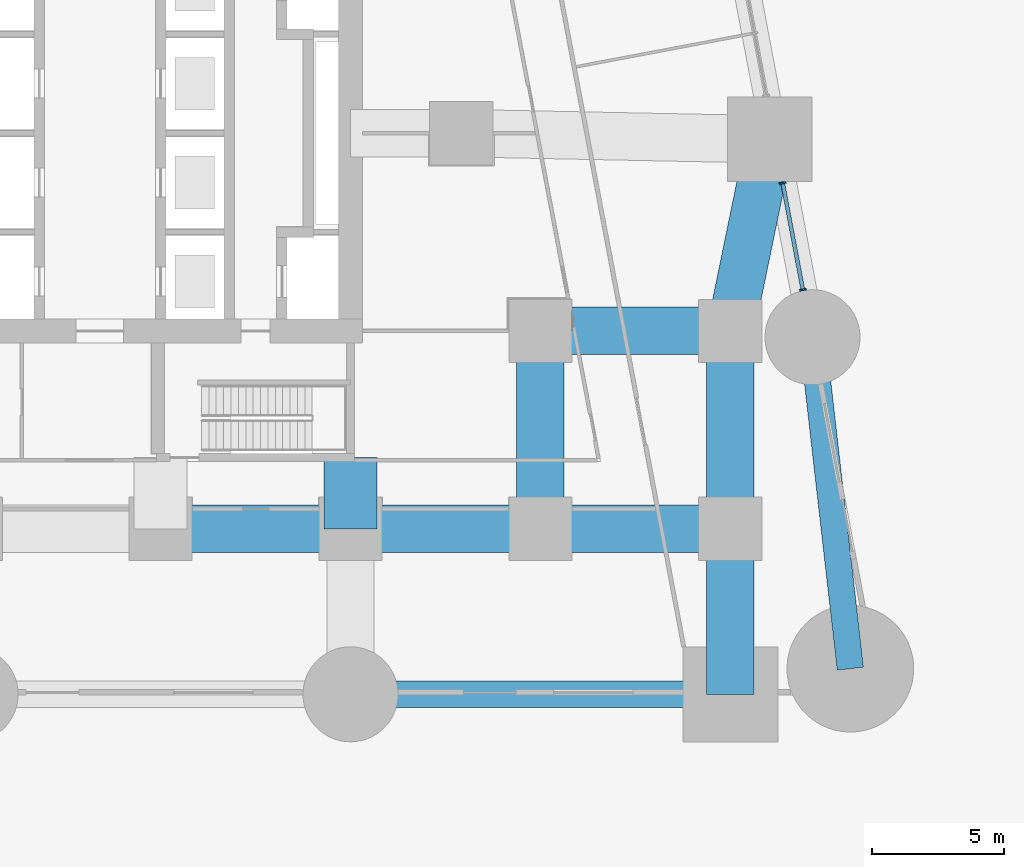
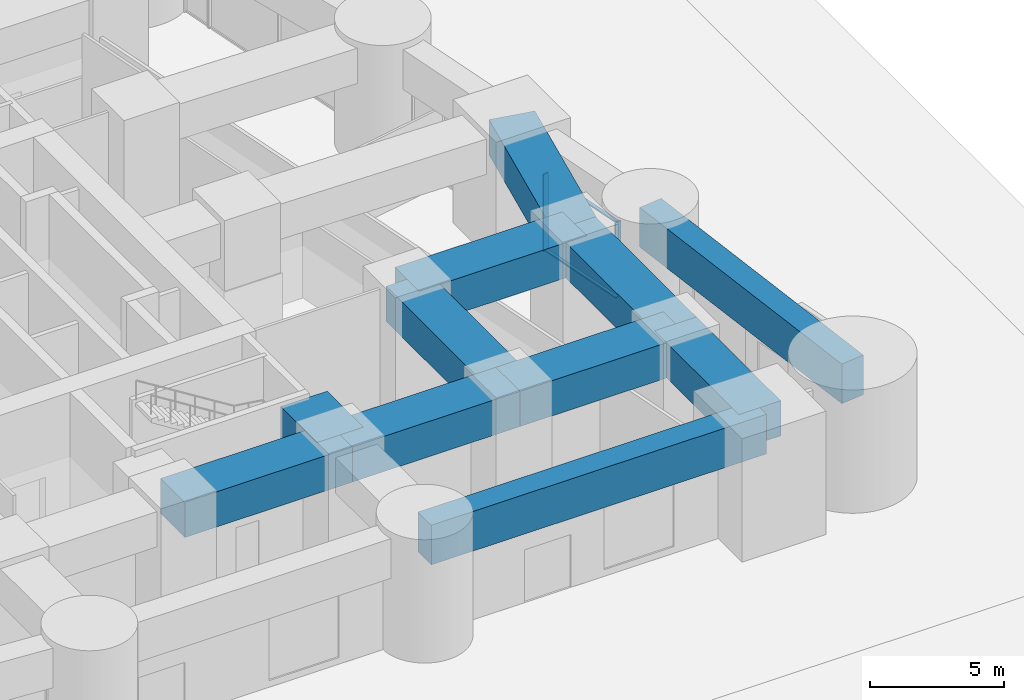
# One storey, part 3 of 16: 11 beams, 4 members, 1 element without a shape of its own.
"""IFC4 building model written with IfcOpenShell, lengths in metres."""

from ifc_helpers import new_model, si_unit, direction, frame, origin, origin_2d, place, context, subcontext, project, spatial, rectangle, extrude, material, material_profile, profile_set, type_object, element, aggregate, save


model = new_model("IFC4")

# Units and contexts
model_context = context("Model", 3, precision=1e-05, world=origin(), true_north=direction((0.0, 1.0)))
body_context = subcontext(model_context, "Body", "Model", "MODEL_VIEW")
ifc_project = project(units=[si_unit("LENGTHUNIT", "METRE"), si_unit("AREAUNIT", "SQUARE_METRE"), si_unit("VOLUMEUNIT", "CUBIC_METRE"), si_unit("PLANEANGLEUNIT", "RADIAN"), si_unit("MASSUNIT", "GRAM", prefix="KILO")], contexts=[model_context])

# Site, building, storey
site_placement = place(None, origin())
site = spatial("IfcSite", under=ifc_project, at=site_placement, CompositionType="ELEMENT")
building_placement = place(site_placement, origin())
building = spatial("IfcBuilding", under=site, at=building_placement, Name="Sheger Commons Tower", CompositionType="ELEMENT")
storey_placement = place(building_placement, origin())
storey = spatial("IfcBuildingStorey", under=building, at=storey_placement, Name="L00", CompositionType="ELEMENT", Elevation=0.0)

# Beams
ifc_material_1 = material(Name="Concrete C50/60", Category="concrete")
ifc_material_profile_1 = material_profile(ifc_material_1, rectangle(XDim=1.0, YDim=1.800048828125, at=origin_2d()), Name="RC 1000x1800")
ifc_profile_set_1 = profile_set([ifc_material_profile_1], Name="Concrete C50/60")
beam_type_1 = type_object("IfcBeamType", Name="BEAM RC 1000x1800", PredefinedType="BEAM", material=ifc_profile_set_1)
beam_1_placement = place(storey_placement, frame((28.800048828125, 1.22509765625, 4.39990234375), z_axis=(1.0, 0.0, 0.0), x_axis=(0.0, 1.0, 0.0)))
element("IfcBeam", 1, at=beam_1_placement, inside=storey, type_object=beam_type_1, Name="Beam 5/A-7/A under L01", PredefinedType="BEAM", context=body_context, shape_type="SweptSolid", body=[
    extrude(rectangle(XDim=1.0, YDim=1.800048828125, at=origin_2d()), origin(), (0.0, 0.0, 1.0), 14.39990234375),
])
beam_2_placement = place(storey_placement, frame((47.748046875, 2.197021484375, 4.39990234375), z_axis=(-0.113388708633, 0.993550703666, 0.0), x_axis=(-0.993550703666, -0.113388708633, 0.0)))
element("IfcBeam", 2, at=beam_2_placement, inside=storey, type_object=beam_type_1, Name="Beam 49.461,0.778-E/C under L01", PredefinedType="BEAM", context=body_context, shape_type="SweptSolid", body=[
    extrude(rectangle(XDim=1.0, YDim=1.800048828125, at=origin_2d()), origin(), (0.0, 0.0, 1.0), 12.6474609375),
])
ifc_material_2 = material(Name="Concrete C50/60", Category="concrete")
ifc_material_profile_2 = material_profile(ifc_material_2, rectangle(XDim=1.800048828125, YDim=1.60009765625, at=origin_2d()), Name="RC 1800x1600")
ifc_profile_set_2 = profile_set([ifc_material_profile_2], Name="Concrete C50/60")
beam_type_2 = type_object("IfcBeamType", Name="BEAM RC 1800x1600", PredefinedType="BEAM", material=ifc_profile_set_2)
for number, where, z_axis, x_axis, name in (
    (3, (21.60009765625, 7.5, 4.5), (1.0, 0.0, 0.0), (0.0, 1.0, 0.0), "Beam 4/B-5/B under L01"),
    (4, (28.800048828125, 7.5, 4.5), (1.0, 0.0, 0.0), (0.0, 1.0, 0.0), "Beam 5/B-6/B under L01"),
    (5, (36.0, 7.5, 4.5), (1.0, 0.0, 0.0), (0.0, 1.0, 0.0), "Beam 6/B-7/B under L01"),
    (6, (36.0, 15.0, 4.5), (1.0, 0.0, 0.0), (0.0, 1.0, 0.0), "Beam 6/C-7/C under L01"),
):
    element("IfcBeam", number, at=place(storey_placement, frame(where, z_axis=z_axis, x_axis=x_axis)), inside=storey, type_object=beam_type_2, Name=name, PredefinedType="BEAM", context=body_context, shape_type="SweptSolid", body=[
        extrude(rectangle(XDim=1.800048828125, YDim=1.60009765625, at=origin_2d()), origin(), (0.0, 0.0, 1.0), 7.199951171875),
    ])
beam_3_placement = place(storey_placement, frame((36.0, 7.5, 4.5), z_axis=(0.0, 1.0, 0.0), x_axis=(-1.0, 0.0, 0.0)))
element("IfcBeam", 7, at=beam_3_placement, inside=storey, type_object=beam_type_2, Name="Beam 6/B-6/C under L01", PredefinedType="BEAM", context=body_context, shape_type="SweptSolid", body=[
    extrude(rectangle(XDim=1.800048828125, YDim=1.60009765625, at=origin_2d()), origin(), (0.0, 0.0, 1.0), 7.5),
])
beam_4_placement = place(storey_placement, frame((43.199951171875, 1.22509765625, 4.5), z_axis=(0.0, 1.0, 0.0), x_axis=(-1.0, 0.0, 0.0)))
element("IfcBeam", 8, at=beam_4_placement, inside=storey, type_object=beam_type_2, Name="Beam 7/A-7/B under L01", PredefinedType="BEAM", context=body_context, shape_type="SweptSolid", body=[
    extrude(rectangle(XDim=1.800048828125, YDim=1.60009765625, at=origin_2d()), origin(), (0.0, 0.0, 1.0), 6.27490234375),
])
beam_5_placement = place(storey_placement, frame((43.199951171875, 7.5, 4.5), z_axis=(0.0, 1.0, 0.0), x_axis=(-1.0, 0.0, 0.0)))
element("IfcBeam", 9, at=beam_5_placement, inside=storey, type_object=beam_type_2, Name="Beam 7/B-7/C under L01", PredefinedType="BEAM", context=body_context, shape_type="SweptSolid", body=[
    extrude(rectangle(XDim=1.800048828125, YDim=1.60009765625, at=origin_2d()), origin(), (0.0, 0.0, 1.0), 7.5),
])
beam_6_placement = place(storey_placement, frame((43.199951171875, 15.0, 4.5), z_axis=(0.201880503661, 0.979410160373, 0.0), x_axis=(-0.979410160373, 0.201880503661, 0.0)))
element("IfcBeam", 10, at=beam_6_placement, inside=storey, type_object=beam_type_2, Name="Beam 7/C-7/D under L01", PredefinedType="BEAM", context=body_context, shape_type="SweptSolid", body=[
    extrude(rectangle(XDim=1.800048828125, YDim=1.60009765625, at=origin_2d()), origin(), (0.0, 0.0, 1.0), 7.41552734375),
])
ifc_material_3 = material(Name="Concrete C50/60", Category="concrete")
ifc_material_profile_3 = material_profile(ifc_material_3, rectangle(XDim=2.0, YDim=2.0, at=origin_2d()), Name="RC 2000x2000")
ifc_profile_set_3 = profile_set([ifc_material_profile_3], Name="Concrete C50/60")
beam_type_3 = type_object("IfcBeamType", Name="BEAM RC 2000x2000", PredefinedType="BEAM", material=ifc_profile_set_3)
beam_7_placement = place(storey_placement, frame((28.800048828125, 7.5, 4.300048828125), z_axis=(0.0, 1.0, 0.0), x_axis=(-1.0, 0.0, 0.0)))
element("IfcBeam", 11, at=beam_7_placement, inside=storey, type_object=beam_type_3, Name="Beam 5/B-28.800,10.200 under L01", PredefinedType="BEAM", context=body_context, shape_type="SweptSolid", body=[
    extrude(rectangle(XDim=2.0, YDim=2.0, at=origin_2d()), origin(), (0.0, 0.0, 1.0), 2.699951171875),
])

# Curtain wall, members
ifc_material_4 = material(Name="Black aluminium curtain wall, dark tinted glazing", Category="aluminium")
curtain_wall_type = type_object("IfcCurtainWallType", Name="CURTAIN WALL CW1 SHOPFRONT", PredefinedType="USERDEFINED", material=ifc_material_4)
curtain_wall_placement = place(storey_placement, origin())
curtain_wall = element("IfcCurtainWall", 12, at=curtain_wall_placement, inside=storey, type_object=curtain_wall_type, Name="Curtain Wall Cw1 Shopfront E1 L00", ObjectType="STICK CURTAIN WALL", PredefinedType="USERDEFINED")
ifc_material_5 = material(Name="Black anodised aluminium", Category="aluminium")
ifc_material_profile_4 = material_profile(ifc_material_5, rectangle(XDim=0.25, YDim=0.06494140625, at=origin_2d()), Name="AL 65x250")
ifc_profile_set_4 = profile_set([ifc_material_profile_4], Name="Black anodised aluminium")
member_type_1 = type_object("IfcMemberType", Name="MULLION AL 65x250", PredefinedType="MULLION", material=ifc_profile_set_4)
member_1_placement = place(storey_placement, frame((45.948974609375, 16.559814453125, 0.0), z_axis=(0.0, 0.0, 1.0), x_axis=(-0.982603267936, -0.185717037026, 0.0)))
member_1 = element("IfcMember", 13, at=member_1_placement, type_object=member_type_1, Name="CW1 mullion 1", PredefinedType="MULLION", context=body_context, shape_type="SweptSolid", body=[
    extrude(rectangle(XDim=0.25, YDim=0.06494140625, at=origin_2d()), origin(), (0.0, 0.0, 1.0), 3.5),
])
member_2_placement = place(storey_placement, frame((45.18408203125, 20.607177734375, 0.0), z_axis=(0.0, 0.0, 1.0), x_axis=(-0.982603267936, -0.185717037026, 0.0)))
member_2 = element("IfcMember", 14, at=member_2_placement, type_object=member_type_1, Name="CW1 mullion 2", PredefinedType="MULLION", context=body_context, shape_type="SweptSolid", body=[
    extrude(rectangle(XDim=0.25, YDim=0.06494140625, at=origin_2d()), origin(), (0.0, 0.0, 1.0), 3.5),
])
ifc_material_6 = material(Name="Black anodised aluminium", Category="aluminium")
ifc_material_profile_5 = material_profile(ifc_material_6, rectangle(XDim=0.14990234375, YDim=0.06494140625, at=origin_2d()), Name="AL 65x150")
ifc_profile_set_5 = profile_set([ifc_material_profile_5], Name="Black anodised aluminium")
member_type_2 = type_object("IfcMemberType", Name="TRANSOM AL 65x150", PredefinedType="USERDEFINED", material=ifc_profile_set_5)
member_3_placement = place(storey_placement, frame((45.94287109375, 16.591796875, 0.032470703125), z_axis=(-0.185670092319, 0.982612139564, 0.0), x_axis=(-0.982612139564, -0.185670092319, 0.0)))
member_3 = element("IfcMember", 15, at=member_3_placement, type_object=member_type_2, Name="CW1 transom 1.1", ObjectType="TRANSOM", PredefinedType="USERDEFINED", context=body_context, shape_type="SweptSolid", body=[
    extrude(rectangle(XDim=0.14990234375, YDim=0.06494140625, at=origin_2d()), origin(), (0.0, 0.0, 1.0), 4.053955078125),
])
member_4_placement = place(storey_placement, frame((45.94287109375, 16.591796875, 3.467529296875), z_axis=(-0.185670092319, 0.982612139564, 0.0), x_axis=(-0.982612139564, -0.185670092319, 0.0)))
member_4 = element("IfcMember", 16, at=member_4_placement, type_object=member_type_2, Name="CW1 transom 1.2", ObjectType="TRANSOM", PredefinedType="USERDEFINED", context=body_context, shape_type="SweptSolid", body=[
    extrude(rectangle(XDim=0.14990234375, YDim=0.06494140625, at=origin_2d()), origin(), (0.0, 0.0, 1.0), 4.053955078125),
])
aggregate(curtain_wall, [member_1, member_2, member_3, member_4])

save(model, "model.ifc")
